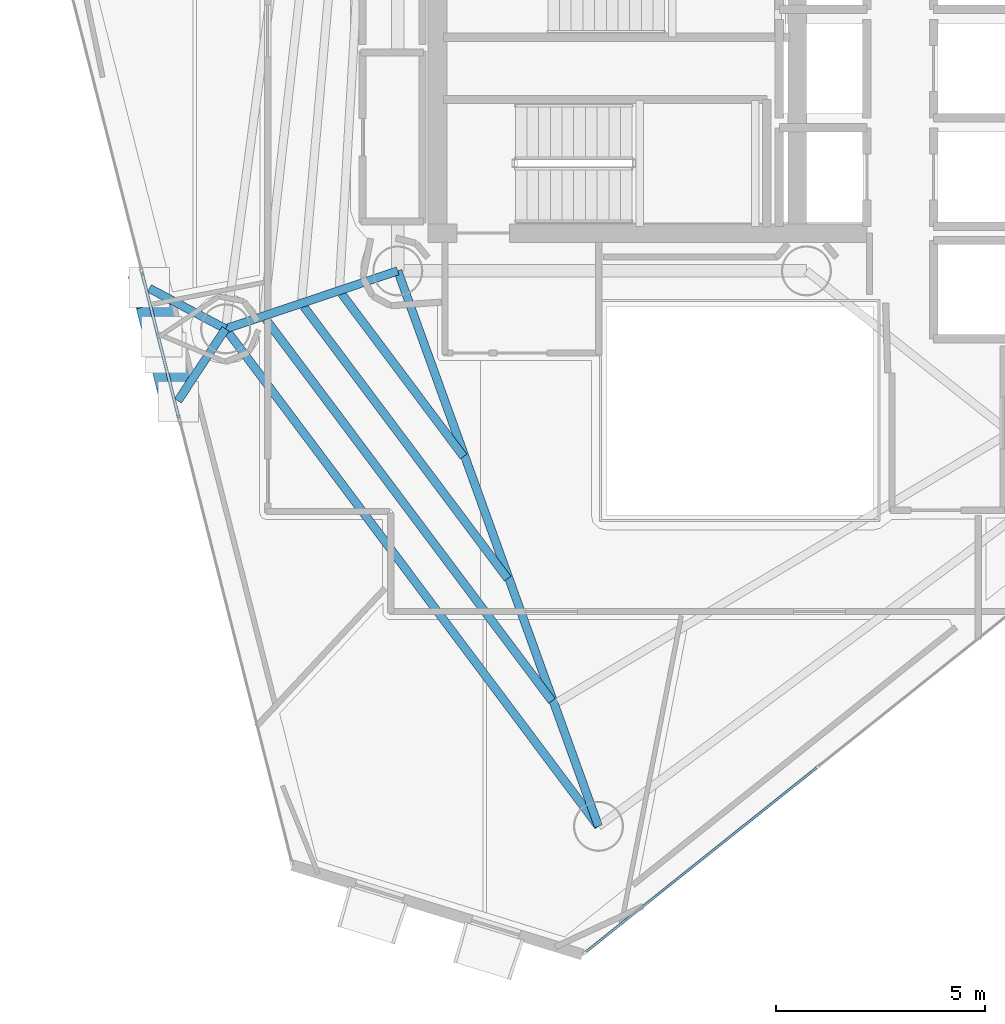
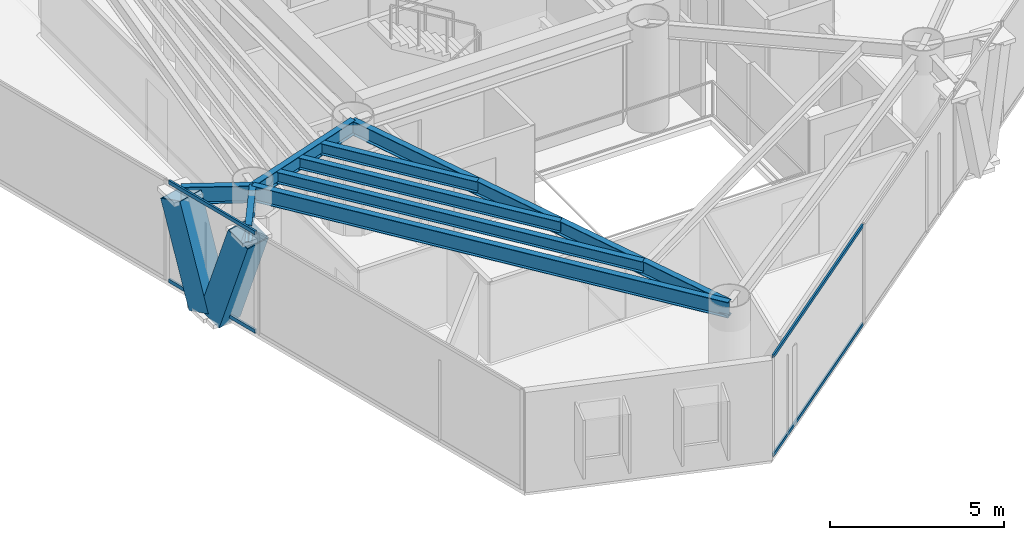
# One storey, part 3 of 22: 8 beams, 6 members, 2 elements without a shape of their own.
"""IFC4 building model written with IfcOpenShell, lengths in metres."""

import ifcopenshell
import ifcopenshell.guid

model = None  # the IFC model being written
_history = None  # IfcOwnerHistory: only IFC2X3 demands one
_inside = {}  # id of a spatial element -> (the spatial element, [elements in it])
_under = {}  # id of a project, library or spatial element -> (it, [spatial elements below it])
_declared = {}  # id of a project -> (the project, [libraries it declares])
_typed = {}  # id of a type object -> (the type object, [elements of that type])
_made_of = {}  # id of a material, layer set ... -> (it, [elements and type objects made of it])


def new_model(schema):
    """Start an empty IFC model of exactly this schema.

    Asked for "IFC4X3", IfcOpenShell would pick the latest addendum, in which some entities
    have other attributes; the version numbers below select the first issue.
    IFC2X3 requires an IfcOwnerHistory on every rooted entity: one is made here for all.
    """
    global model, _history
    if schema == "IFC4X3":
        model = ifcopenshell.file(schema_version=(4, 3, 0, 0))
    else:
        model = ifcopenshell.file(schema=schema)
    _inside.clear()
    _under.clear()
    _declared.clear()
    _typed.clear()
    _made_of.clear()
    _history = None
    if model.schema == "IFC2X3":
        org = make("IfcOrganization", Name="unknown")
        user = make(
            "IfcPersonAndOrganization",
            ThePerson=make("IfcPerson", FamilyName="unknown"),
            TheOrganization=org,
        )
        app = make(
            "IfcApplication",
            ApplicationDeveloper=org,
            Version="unknown",
            ApplicationFullName="unknown",
            ApplicationIdentifier="unknown",
        )
        _history = make(
            "IfcOwnerHistory",
            OwningUser=user,
            OwningApplication=app,
            ChangeAction="ADDED",
            CreationDate=0,
        )
    return model


def make(cls, **values):
    """One entity of the class cls with the attributes given. An attribute that is None is left unset."""
    return model.create_entity(
        cls, **{name: value for name, value in values.items() if value is not None}
    )


def rooted(cls, **values):
    """An entity with a GlobalId (a new one), such as an element, a storey or a relation."""
    return make(cls, GlobalId=ifcopenshell.guid.new(), OwnerHistory=_history, **values)


def si_unit(unit_type, name, prefix=None):
    """IfcSIUnit, for example si_unit("LENGTHUNIT", "METRE", prefix="MILLI")."""
    return make("IfcSIUnit", UnitType=unit_type, Prefix=prefix, Name=name)


def assignment(units):
    """IfcUnitAssignment: the units of a project."""
    return None if units is None else make("IfcUnitAssignment", Units=units)


def point(xyz):
    """IfcCartesianPoint."""
    return None if xyz is None else make("IfcCartesianPoint", Coordinates=xyz)


def direction(xyz):
    """IfcDirection."""
    return None if xyz is None else make("IfcDirection", DirectionRatios=xyz)


def frame(location, z_axis=None, x_axis=None):
    """IfcAxis2Placement3D, a coordinate frame: its origin and axes. An axis left out is left unset."""
    return make(
        "IfcAxis2Placement3D",
        Location=point(location),
        Axis=direction(z_axis),
        RefDirection=direction(x_axis),
    )


def frame_2d(location, x_axis=None):
    """IfcAxis2Placement2D, a coordinate frame in the plane: its origin and x axis."""
    return make(
        "IfcAxis2Placement2D", Location=point(location), RefDirection=direction(x_axis)
    )


def origin():
    """The frame at (0, 0, 0) with its axes left unset."""
    return frame((0.0, 0.0, 0.0))


def origin_2d():
    """The frame at (0, 0) in the plane with its x axis left unset."""
    return frame_2d((0.0, 0.0))


def place(relative_to, where):
    """IfcLocalPlacement: puts the frame where relative to a parent placement (None: the world)."""
    return make(
        "IfcLocalPlacement", PlacementRelTo=relative_to, RelativePlacement=where
    )


def context(
    kind, dimensions, precision=None, world=None, true_north=None, identifier=None
):
    """IfcGeometricRepresentationContext, for example the 3D "Model" context."""
    return make(
        "IfcGeometricRepresentationContext",
        ContextIdentifier=identifier,
        ContextType=kind,
        CoordinateSpaceDimension=dimensions,
        Precision=precision,
        WorldCoordinateSystem=world,
        TrueNorth=true_north,
    )


def subcontext(parent, identifier, kind, view, scale=None):
    """IfcGeometricRepresentationSubContext, for example "Body" below "Model"."""
    return make(
        "IfcGeometricRepresentationSubContext",
        ContextIdentifier=identifier,
        ContextType=kind,
        ParentContext=parent,
        TargetScale=scale,
        TargetView=view,
    )


def project(units=None, contexts=None):
    """IfcProject with its units and contexts."""
    return rooted(
        "IfcProject",
        Name="project",
        RepresentationContexts=contexts,
        UnitsInContext=assignment(units),
    )


def spatial(cls, under=None, at=None, **own):
    """A site, building, storey or space (cls), placed at a placement, below another one or the project."""
    s = rooted(cls, ObjectPlacement=at, **own)
    if under is not None:
        _under.setdefault(under.id(), (under, []))[1].append(s)
    return s


def profile(cls, at=None, kind="AREA", **sizes):
    """A parametric profile (cls). Its sizes go by their IFC names, for example OverallWidth=200.0."""
    return make(cls, ProfileType=kind, Position=at, **sizes)


def hollow_rectangle(**sizes):
    """IfcRectangleHollowProfileDef."""
    return profile("IfcRectangleHollowProfileDef", **sizes)


def i_section(**sizes):
    """IfcIShapeProfileDef."""
    return profile("IfcIShapeProfileDef", **sizes)


def extrude(swept, where, along, depth):
    """IfcExtrudedAreaSolid: the profile swept, set in the frame where, extruded along a direction by depth."""
    return make(
        "IfcExtrudedAreaSolid",
        SweptArea=swept,
        Position=where,
        ExtrudedDirection=direction(along),
        Depth=depth,
    )


def shape(context_of_items, identifier, shape_type, items):
    """IfcShapeRepresentation: the items that make up one representation, for example the "Body"."""
    return make(
        "IfcShapeRepresentation",
        ContextOfItems=context_of_items,
        RepresentationIdentifier=identifier,
        RepresentationType=shape_type,
        Items=items,
    )


def material(Name=None, Category=None):
    """IfcMaterial."""
    return make("IfcMaterial", Name=Name, Category=Category)


def layer(
    of_material, thickness, ventilated=None, Name=None, Category=None, Priority=None
):
    """IfcMaterialLayer: one layer of a wall or slab, of a material (None: an air gap)."""
    return make(
        "IfcMaterialLayer",
        Material=of_material,
        LayerThickness=thickness,
        IsVentilated=ventilated,
        Name=Name,
        Category=Category,
        Priority=Priority,
    )


def layer_set(layers, Name=None):
    """IfcMaterialLayerSet."""
    return make("IfcMaterialLayerSet", MaterialLayers=layers, LayerSetName=Name)


def material_profile(
    of_material, cross_section, Name=None, Category=None, Priority=None
):
    """IfcMaterialProfile: a cross section and its material."""
    return make(
        "IfcMaterialProfile",
        Name=Name,
        Material=of_material,
        Profile=cross_section,
        Priority=Priority,
        Category=Category,
    )


def profile_set(profiles, Name=None, composite=None):
    """IfcMaterialProfileSet."""
    return make(
        "IfcMaterialProfileSet",
        Name=Name,
        MaterialProfiles=profiles,
        CompositeProfile=composite,
    )


def made_of(thing, what):
    """Note that an element or type object is made of a material, layer set ...; save() writes the relation."""
    if what is not None:
        _made_of.setdefault(what.id(), (what, []))[1].append(thing)
    return thing


def type_object(cls, material=None, **own):
    """A type object (cls), such as IfcWallType, which elements share."""
    return made_of(rooted(cls, **own), material)


def element(
    cls,
    number,
    at=None,
    inside=None,
    cuts=None,
    type_object=None,
    material=None,
    context=None,
    identifier="Body",
    shape_type=None,
    held_by="IfcProductDefinitionShape",
    body=None,
    shapes=None,
    **own,
):
    """One element of the class cls, such as IfcWall. Its Tag is "e" and its number.

    at: its placement. inside: the storey or other place that contains it. cuts: it is an
    opening in that element (IfcRelVoidsElement). A single representation is given by context,
    identifier, shape_type and body (its items); several are given by shapes. held_by: the class
    of the entity that holds the representations. save() writes the other relations.
    """
    e = rooted(cls, Tag="e%d" % number, ObjectPlacement=at, **own)
    if body is not None:
        shapes = [shape(context, identifier, shape_type, body)]
    if shapes is not None:
        e.Representation = make(held_by, Representations=shapes)
    if inside is not None:
        _inside.setdefault(inside.id(), (inside, []))[1].append(e)
    if cuts is not None:
        rooted(
            "IfcRelVoidsElement", RelatingBuildingElement=cuts, RelatedOpeningElement=e
        )
    if type_object is not None:
        _typed.setdefault(type_object.id(), (type_object, []))[1].append(e)
    return made_of(e, material)


def aggregate(whole, parts):
    """IfcRelAggregates: a whole, such as a stair, and the parts it consists of."""
    return rooted("IfcRelAggregates", RelatingObject=whole, RelatedObjects=parts)


def save(model, path):
    """Write the relations noted so far, then the file.

    IfcRelAggregates (storeys below a building ...), IfcRelContainedInSpatialStructure (elements
    in a storey), IfcRelDefinesByType, IfcRelAssociatesMaterial and IfcRelDeclares: one each for
    every whole, place, type object, material and project.
    """
    for whole, parts in _under.values():
        aggregate(whole, parts)
    for where, things in _inside.values():
        rooted(
            "IfcRelContainedInSpatialStructure",
            RelatedElements=things,
            RelatingStructure=where,
        )
    for kind, things in _typed.values():
        rooted("IfcRelDefinesByType", RelatedObjects=things, RelatingType=kind)
    for what, things in _made_of.values():
        rooted("IfcRelAssociatesMaterial", RelatedObjects=things, RelatingMaterial=what)
    for by, libraries in _declared.values():
        rooted("IfcRelDeclares", RelatingContext=by, RelatedDefinitions=libraries)
    model.write(path)


model = new_model("IFC4")

# Units and contexts
model_context = context("Model", 3, precision=1e-05, world=origin(), true_north=direction((0.0, 1.0)))
body_context = subcontext(model_context, "Body", "Model", "MODEL_VIEW")
ifc_project = project(units=[si_unit("LENGTHUNIT", "METRE"), si_unit("AREAUNIT", "SQUARE_METRE"), si_unit("VOLUMEUNIT", "CUBIC_METRE"), si_unit("PLANEANGLEUNIT", "RADIAN"), si_unit("MASSUNIT", "GRAM", prefix="KILO")], contexts=[model_context])

# Site, building, storey
site_placement = place(None, origin())
site = spatial("IfcSite", under=ifc_project, at=site_placement, CompositionType="ELEMENT")
building_placement = place(site_placement, origin())
building = spatial("IfcBuilding", under=site, at=building_placement, Name="Qianvela Tower", CompositionType="ELEMENT")
storey_placement = place(building_placement, frame((0.0, 0.0, 207.699951171875)))
storey = spatial("IfcBuildingStorey", under=building, at=storey_placement, Name="L53", CompositionType="ELEMENT", Elevation=207.699951171875)

# Beams
ifc_material_1 = material(Name="Steel Q355B", Category="steel")
ifc_material_profile_1 = material_profile(ifc_material_1, i_section(OverallWidth=0.199951171875, OverallDepth=0.39990234375, WebThickness=0.008056640625, FlangeThickness=0.012939453125, at=origin_2d()), Name="HN400x200x8x13")
ifc_profile_set_1 = profile_set([ifc_material_profile_1], Name="Steel Q355B")
beam_type_1 = type_object("IfcBeamType", Name="BM-HN400-JOIST", PredefinedType="JOIST", material=ifc_profile_set_1)
beam_1_placement = place(storey_placement, frame((27.254150390625, 23.300537109375, 3.318115234375), z_axis=(0.599735620965, -0.800198216035, 0.0), x_axis=(0.800198216035, 0.599735620965, 0.0)))
element("IfcBeam", 1, at=beam_1_placement, inside=storey, type_object=beam_type_1, Name="L53 Secondary Composite Floor Joist 4.1", PredefinedType="JOIST", context=body_context, shape_type="SweptSolid", body=[
    extrude(i_section(OverallWidth=0.199951171875, OverallDepth=0.39990234375, WebThickness=0.008056640625, FlangeThickness=0.012939453125, at=origin_2d()), origin(), (0.0, 0.0, 1.0), 4.87646484375),
])
beam_2_placement = place(storey_placement, frame((26.345947265625, 22.994873046875, 3.318115234375), z_axis=(0.59975572356, -0.800183149071, 0.0), x_axis=(0.800183149071, 0.59975572356, 0.0)))
element("IfcBeam", 2, at=beam_2_placement, inside=storey, type_object=beam_type_1, Name="L53 Secondary Composite Floor Joist 4.2", PredefinedType="JOIST", context=body_context, shape_type="SweptSolid", body=[
    extrude(i_section(OverallWidth=0.199951171875, OverallDepth=0.39990234375, WebThickness=0.008056640625, FlangeThickness=0.012939453125, at=origin_2d()), origin(), (0.0, 0.0, 1.0), 8.156494140625),
])
beam_3_placement = place(storey_placement, frame((25.437744140625, 22.68896484375, 3.318115234375), z_axis=(0.599760871552, -0.800179290507, 0.0), x_axis=(0.800179290507, 0.599760871552, 0.0)))
element("IfcBeam", 3, at=beam_3_placement, inside=storey, type_object=beam_type_1, Name="L53 Secondary Composite Floor Joist 4.3", PredefinedType="JOIST", context=body_context, shape_type="SweptSolid", body=[
    extrude(i_section(OverallWidth=0.199951171875, OverallDepth=0.39990234375, WebThickness=0.008056640625, FlangeThickness=0.012939453125, at=origin_2d()), origin(), (0.0, 0.0, 1.0), 11.43603515625),
])
ifc_material_2 = material(Name="Steel Q355B", Category="steel")
ifc_material_profile_2 = material_profile(ifc_material_2, i_section(OverallWidth=0.199951171875, OverallDepth=0.5, WebThickness=0.010009765625, FlangeThickness=0.01611328125, at=origin_2d()), Name="HN500x200x10x16")
ifc_profile_set_2 = profile_set([ifc_material_profile_2], Name="Steel Q355B")
beam_type_2 = type_object("IfcBeamType", Name="BM-HN500-GIRD", PredefinedType="BEAM", material=ifc_profile_set_2)
beam_4_placement = place(storey_placement, frame((28.60009765625, 23.85009765625, 3.26806640625), z_axis=(-0.947709214586, -0.319135150976, 0.0), x_axis=(0.319135150976, -0.947709214586, 0.0)))
element("IfcBeam", 4, at=beam_4_placement, inside=storey, type_object=beam_type_2, Name="L53 Radial Primary Floor Girder 4", PredefinedType="BEAM", context=body_context, shape_type="SweptSolid", body=[
    extrude(i_section(OverallWidth=0.199951171875, OverallDepth=0.5, WebThickness=0.010009765625, FlangeThickness=0.01611328125, at=origin_2d()), origin(), (0.0, 0.0, 1.0), 4.35595703125),
])
beam_5_placement = place(storey_placement, frame((28.60009765625, 23.85009765625, 3.26806640625), z_axis=(0.339851607149, -0.940479072132, 0.0), x_axis=(0.940479072132, 0.339851607149, 0.0)))
element("IfcBeam", 5, at=beam_5_placement, inside=storey, type_object=beam_type_2, Name="L53 Radial Primary Floor Girder 5", PredefinedType="BEAM", context=body_context, shape_type="SweptSolid", body=[
    extrude(i_section(OverallWidth=0.199951171875, OverallDepth=0.5, WebThickness=0.010009765625, FlangeThickness=0.01611328125, at=origin_2d()), origin(), (0.0, 0.0, 1.0), 14.162109375),
])
ifc_material_3 = material(Name="Steel Q355B", Category="steel")
ifc_material_profile_3 = material_profile(ifc_material_3, i_section(OverallWidth=0.199951171875, OverallDepth=0.550048828125, WebThickness=0.010009765625, FlangeThickness=0.01611328125, at=origin_2d()), Name="HN550x200x10x16")
ifc_profile_set_3 = profile_set([ifc_material_profile_3], Name="Steel Q355B")
beam_type_3 = type_object("IfcBeamType", Name="BM-HN550-GIRD", PredefinedType="BEAM", material=ifc_profile_set_3)
beam_6_placement = place(storey_placement, frame((24.471923828125, 22.4599609375, 3.2431640625), z_axis=(0.599761529533, -0.800178797327, 0.0), x_axis=(0.800178797327, 0.599761529533, 0.0)))
element("IfcBeam", 6, at=beam_6_placement, inside=storey, type_object=beam_type_3, Name="L53 Perimeter Ring Spandrel Girder 4", PredefinedType="BEAM", context=body_context, shape_type="SweptSolid", body=[
    extrude(i_section(OverallWidth=0.199951171875, OverallDepth=0.550048828125, WebThickness=0.010009765625, FlangeThickness=0.01611328125, at=origin_2d()), origin(), (0.0, 0.0, 1.0), 14.907958984375),
])
ifc_material_4 = material(Name="Steel Q355B", Category="steel")
ifc_material_profile_4 = material_profile(ifc_material_4, i_section(OverallWidth=0.199951171875, OverallDepth=0.60009765625, WebThickness=0.010986328125, FlangeThickness=0.01708984375, at=origin_2d()), Name="HN600x200x11x17")
ifc_profile_set_4 = profile_set([ifc_material_profile_4], Name="Steel Q355B")
beam_type_4 = type_object("IfcBeamType", Name="BM-HN600-GIRD", PredefinedType="BEAM", material=ifc_profile_set_4)
for number, where, z_axis, x_axis, name in (
    (7, (24.471923828125, 22.4599609375, 3.218017578125), (-0.883089756584, 0.469204093989, 0.0), (-0.469204093989, -0.883089756584, 0.0), "L53 Mega-Brace Column Tie Bracket F2-1"),
    (8, (24.471923828125, 22.4599609375, 3.218017578125), (-0.5524662702, -0.833535254378, 0.0), (0.833535254378, -0.5524662702, 0.0), "L53 Mega-Brace Column Tie Bracket F2-2"),
):
    element("IfcBeam", number, at=place(storey_placement, frame(where, z_axis=z_axis, x_axis=x_axis)), inside=storey, type_object=beam_type_4, Name=name, PredefinedType="BEAM", context=body_context, shape_type="SweptSolid", body=[
        extrude(i_section(OverallWidth=0.199951171875, OverallDepth=0.60009765625, WebThickness=0.010986328125, FlangeThickness=0.01708984375, at=origin_2d()), origin(), (0.0, 0.0, 1.0), 2.06982421875),
    ])

# Curtain wall, members
ifc_material_5 = material(Name="Anodised Architectural Aluminium and Insulated Spandrel Panel", Category="aluminium")
ifc_layer_1 = layer(ifc_material_5, 0.179931640625)
ifc_layer_set_1 = layer_set([ifc_layer_1], Name="Anodised Architectural Aluminium and Insulated Spandrel Panel")
curtain_wall_type_1 = type_object("IfcCurtainWallType", Name="CW-BRACEBAY", PredefinedType="USERDEFINED", material=ifc_layer_set_1)
curtain_wall_1_placement = place(storey_placement, origin())
curtain_wall_1 = element("IfcCurtainWall", 9, at=curtain_wall_1_placement, inside=storey, type_object=curtain_wall_type_1, Name="L53 CW-BRACEBAY Curtain Wall 04B", ObjectType="CURTAIN_WALL_SYSTEM", PredefinedType="USERDEFINED")
ifc_material_6 = material(Name="Anodised Architectural Aluminium 6063-T6", Category="aluminium")
ifc_material_profile_5 = material_profile(ifc_material_6, hollow_rectangle(XDim=0.06494140625, YDim=0.1298828125, WallThickness=0.00439453125, at=origin_2d()), Name="ALU-TRAN-65x130")
ifc_profile_set_5 = profile_set([ifc_material_profile_5], Name="Anodised Architectural Aluminium 6063-T6")
member_type_1 = type_object("IfcMemberType", Name="CW-BRACEBAY-TRAN", PredefinedType="USERDEFINED", material=ifc_profile_set_5)
member_1_placement = place(storey_placement, frame((22.46923828125, 23.794677734375, 0.032470703125), z_axis=(0.245993740666, -0.969271416866, 0.0), x_axis=(0.969271416866, 0.245993740666, 0.0)))
member_1 = element("IfcMember", 10, at=member_1_placement, type_object=member_type_1, Name="CW-9 transom 1.1", ObjectType="TRANSOM", PredefinedType="USERDEFINED", context=body_context, shape_type="SweptSolid", body=[
    extrude(hollow_rectangle(XDim=0.06494140625, YDim=0.1298828125, WallThickness=0.00439453125, at=origin_2d()), origin(), (0.0, 0.0, 1.0), 3.56982421875),
])
member_2_placement = place(storey_placement, frame((22.46923828125, 23.794677734375, 3.487548828125), z_axis=(0.245993740666, -0.969271416866, 0.0), x_axis=(0.969271416866, 0.245993740666, 0.0)))
member_2 = element("IfcMember", 11, at=member_2_placement, type_object=member_type_1, Name="CW-9 transom 1.2", ObjectType="TRANSOM", PredefinedType="USERDEFINED", context=body_context, shape_type="SweptSolid", body=[
    extrude(hollow_rectangle(XDim=0.06494140625, YDim=0.1298828125, WallThickness=0.00439453125, at=origin_2d()), origin(), (0.0, 0.0, 1.0), 3.56982421875),
])
aggregate(curtain_wall_1, [member_1, member_2])

ifc_material_7 = material(Name="Anodised Architectural Aluminium and Low-E Glass", Category="aluminium")
ifc_layer_2 = layer(ifc_material_7, 0.159912109375)
ifc_layer_set_2 = layer_set([ifc_layer_2], Name="Anodised Architectural Aluminium and Low-E Glass")
curtain_wall_type_2 = type_object("IfcCurtainWallType", Name="CW-COLIV-Z56", PredefinedType="USERDEFINED", material=ifc_layer_set_2)
curtain_wall_2_placement = place(storey_placement, origin())
curtain_wall_2 = element("IfcCurtainWall", 12, at=curtain_wall_2_placement, inside=storey, type_object=curtain_wall_type_2, Name="L53 CW-COLIV-Z56 Curtain Wall 06A", ObjectType="CURTAIN_WALL_SYSTEM", PredefinedType="USERDEFINED")
ifc_material_8 = material(Name="Anodised Architectural Aluminium 6063-T6", Category="aluminium")
ifc_material_profile_6 = material_profile(ifc_material_8, hollow_rectangle(XDim=0.06005859375, YDim=0.114990234375, WallThickness=0.00390625, at=origin_2d()), Name="ALU-TRAN-60x115")
ifc_profile_set_6 = profile_set([ifc_material_profile_6], Name="Anodised Architectural Aluminium 6063-T6")
member_type_2 = type_object("IfcMemberType", Name="CW-COLIV-Z56-TRAN", PredefinedType="USERDEFINED", material=ifc_profile_set_6)
member_3_placement = place(storey_placement, frame((33.119384765625, 7.525146484375, 0.030029296875), z_axis=(0.781593378412, 0.623788258003, 0.0), x_axis=(-0.623788258003, 0.781593378412, 0.0)))
member_3 = element("IfcMember", 13, at=member_3_placement, type_object=member_type_2, Name="CW-5 transom 1.1", ObjectType="TRANSOM", PredefinedType="USERDEFINED", context=body_context, shape_type="SweptSolid", body=[
    extrude(hollow_rectangle(XDim=0.06005859375, YDim=0.114990234375, WallThickness=0.00390625, at=origin_2d()), origin(), (0.0, 0.0, 1.0), 7.0625),
])
member_4_placement = place(storey_placement, frame((33.119384765625, 7.525146484375, 3.489990234375), z_axis=(0.781593378412, 0.623788258003, 0.0), x_axis=(-0.623788258003, 0.781593378412, 0.0)))
member_4 = element("IfcMember", 14, at=member_4_placement, type_object=member_type_2, Name="CW-5 transom 1.2", ObjectType="TRANSOM", PredefinedType="USERDEFINED", context=body_context, shape_type="SweptSolid", body=[
    extrude(hollow_rectangle(XDim=0.06005859375, YDim=0.114990234375, WallThickness=0.00390625, at=origin_2d()), origin(), (0.0, 0.0, 1.0), 7.0625),
])
aggregate(curtain_wall_2, [member_3, member_4])

# Members
ifc_material_9 = material(Name="Steel Q420GJC", Category="steel")
ifc_material_profile_7 = material_profile(ifc_material_9, hollow_rectangle(XDim=0.85009765625, YDim=0.85009765625, WallThickness=0.031982421875, at=origin_2d()), Name="MBOX-850x850x32")
ifc_profile_set_7 = profile_set([ifc_material_profile_7], Name="Steel Q420GJC")
member_type_3 = type_object("IfcMemberType", Name="MBR-MBRACE-850", PredefinedType="BRACE", material=ifc_profile_set_7)
for number, where, z_axis, x_axis, name in (
    (15, (22.931884765625, 22.296142578125, -0.139892578125), (-0.080940507649, 0.319162357983, 0.944237270747), (-0.969315197709, -0.245821169735, 0.0), "L53 Tier 9 Exterior Mega-Brace F2A"),
    (16, (23.040283203125, 21.86962890625, -0.139892578125), (0.081008709148, -0.319160583752, 0.944232021709), (0.969265499525, 0.24601705516, 0.0), "L53 Tier 9 Exterior Mega-Brace F2B"),
):
    element("IfcMember", number, at=place(storey_placement, frame(where, z_axis=z_axis, x_axis=x_axis)), inside=storey, type_object=member_type_3, Name=name, PredefinedType="BRACE", context=body_context, shape_type="SweptSolid", body=[
        extrude(hollow_rectangle(XDim=0.85009765625, YDim=0.85009765625, WallThickness=0.031982421875, at=origin_2d()), origin(), (0.0, 0.0, 1.0), 3.55615234375),
    ])

save(model, "model.ifc")
